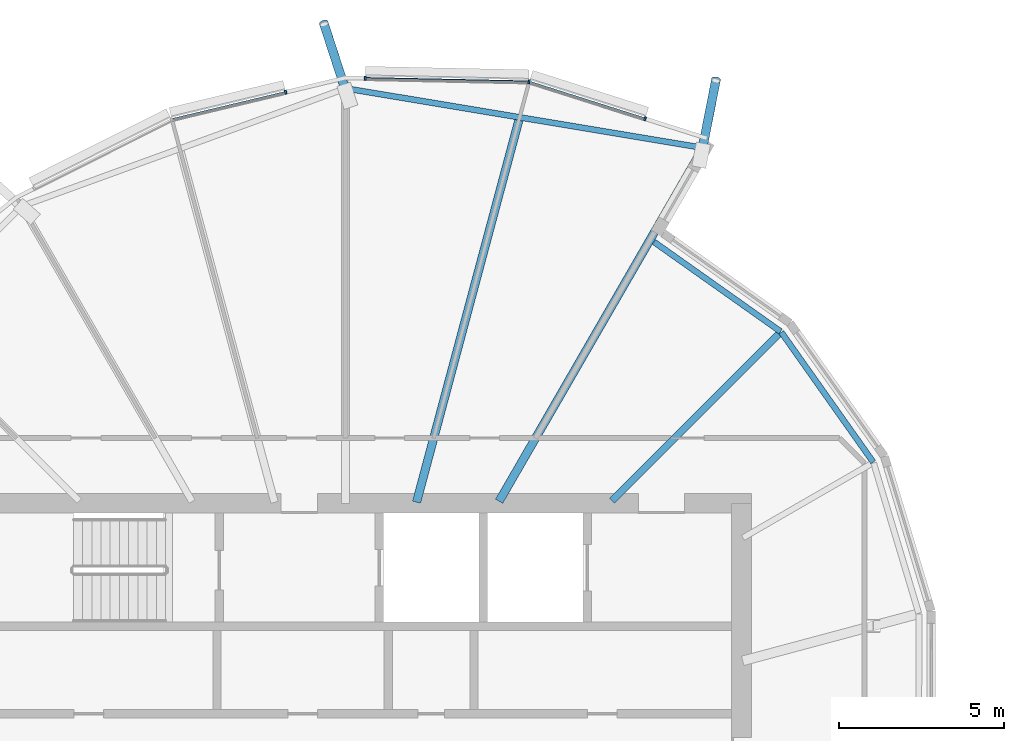
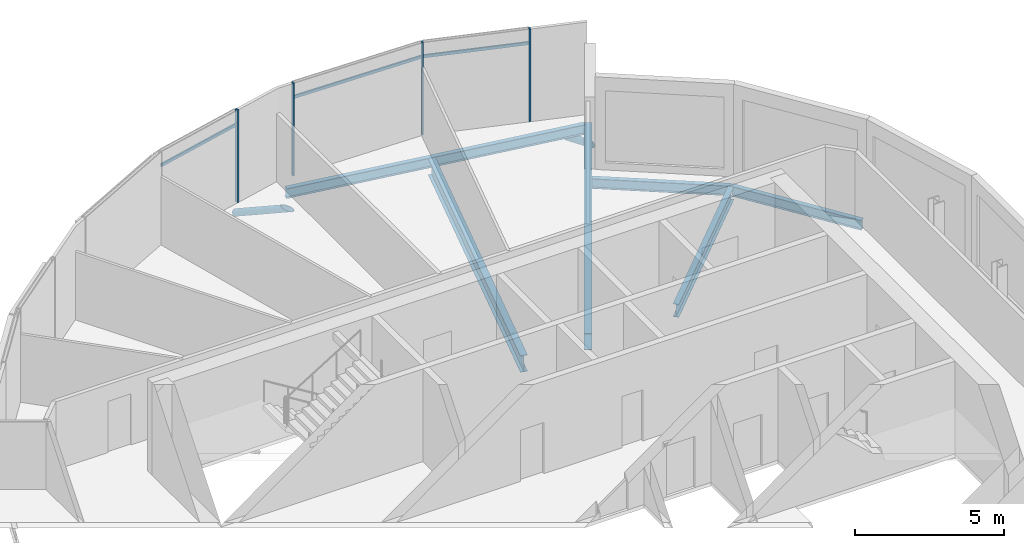
# One storey, part 16 of 36: 9 members, 6 beams, 1 element without a shape of its own.
"""IFC4 building model written with IfcOpenShell, lengths in metres."""

from ifc_helpers import new_model, si_unit, direction, frame, origin, origin_2d, place, context, subcontext, project, spatial, rectangle, hollow_circle, i_section, extrude, clip, halfspace, material, material_profile, profile_set, type_object, element, aggregate, save


model = new_model("IFC4")

# Units and contexts
model_context = context("Model", 3, precision=1e-05, world=origin(), true_north=direction((0.0, 1.0)))
body_context = subcontext(model_context, "Body", "Model", "MODEL_VIEW")
ifc_project = project(units=[si_unit("LENGTHUNIT", "METRE"), si_unit("AREAUNIT", "SQUARE_METRE"), si_unit("VOLUMEUNIT", "CUBIC_METRE"), si_unit("PLANEANGLEUNIT", "RADIAN"), si_unit("MASSUNIT", "GRAM", prefix="KILO")], contexts=[model_context])

# Site, building, storey
site_placement = place(None, origin())
site = spatial("IfcSite", under=ifc_project, at=site_placement, CompositionType="ELEMENT")
building_placement = place(site_placement, origin())
building = spatial("IfcBuilding", under=site, at=building_placement, Name="Rimbun Link Towers", CompositionType="ELEMENT")
storey_placement = place(building_placement, frame((0.0, 0.0, 174.10009765625)))
storey = spatial("IfcBuildingStorey", under=building, at=storey_placement, Name="L42", CompositionType="ELEMENT", Elevation=174.10009765625)

# Curtain wall, members
ifc_material_1 = material(Name="Aluminium 6063-T6 and low-iron glass", Category="aluminium")
curtain_wall_type = type_object("IfcCurtainWallType", Name="CW1-Z3 unitised vision wall (zone 3)", PredefinedType="NOTDEFINED", material=ifc_material_1)
curtain_wall_placement = place(storey_placement, origin())
curtain_wall = element("IfcCurtainWall", 1, at=curtain_wall_placement, inside=storey, type_object=curtain_wall_type, Name="CW1 L42 T2", PredefinedType="NOTDEFINED")
ifc_material_2 = material(Name="Aluminium 6063-T6", Category="aluminium")
ifc_material_profile_1 = material_profile(ifc_material_2, rectangle(XDim=0.1201171875, YDim=0.06005859375, at=origin_2d()), Name="MULLION 60X120")
ifc_profile_set_1 = profile_set([ifc_material_profile_1], Name="Aluminium 6063-T6")
member_type_1 = type_object("IfcMemberType", Name="CW1 mullion 60X120", PredefinedType="MULLION", material=ifc_profile_set_1)
member_1_placement = place(storey_placement, frame((37.310791015625, 20.775390625, 0.0), z_axis=(0.0, 0.0, 1.0), x_axis=(0.163742714165, 0.986503078332, 0.0)))
member_1 = element("IfcMember", 2, at=member_1_placement, type_object=member_type_1, Name="CW1 mullion", PredefinedType="MULLION", context=body_context, shape_type="SweptSolid", body=[
    extrude(rectangle(XDim=0.1201171875, YDim=0.06005859375, at=origin_2d()), origin(), (0.0, 0.0, 1.0), 3.7998046875),
])
member_2_placement = place(storey_placement, frame((40.828369140625, 19.6572265625, 0.0), z_axis=(0.0, 0.0, 1.0), x_axis=(0.303067824946, 0.952968988731, 0.0)))
member_2 = element("IfcMember", 3, at=member_2_placement, type_object=member_type_1, Name="CW1 mullion", PredefinedType="MULLION", context=body_context, shape_type="SweptSolid", body=[
    extrude(rectangle(XDim=0.1201171875, YDim=0.06005859375, at=origin_2d()), origin(), (0.0, 0.0, 1.0), 3.7998046875),
])
member_3_placement = place(storey_placement, frame((32.35107421875, 20.88037109375, 0.0), z_axis=(0.0, 0.0, 1.0), x_axis=(0.021054979477, 0.999778319348, 0.0)))
member_3 = element("IfcMember", 4, at=member_3_placement, type_object=member_type_1, Name="CW1 mullion", PredefinedType="MULLION", context=body_context, shape_type="SweptSolid", body=[
    extrude(rectangle(XDim=0.1201171875, YDim=0.06005859375, at=origin_2d()), origin(), (0.0, 0.0, 1.0), 3.7998046875),
])
member_4_placement = place(storey_placement, frame((29.936767578125, 20.461181640625, 0.0), z_axis=(0.0, 0.0, 1.0), x_axis=(-0.232594562001, 0.972573786264, 0.0)))
member_4 = element("IfcMember", 5, at=member_4_placement, type_object=member_type_1, Name="CW1 mullion", PredefinedType="MULLION", context=body_context, shape_type="SweptSolid", body=[
    extrude(rectangle(XDim=0.1201171875, YDim=0.06005859375, at=origin_2d()), origin(), (0.0, 0.0, 1.0), 3.7998046875),
])
ifc_material_3 = material(Name="Aluminium 6063-T6", Category="aluminium")
ifc_material_profile_2 = material_profile(ifc_material_3, rectangle(XDim=0.06005859375, YDim=0.1201171875, at=origin_2d()), Name="TRANSOM 60X120")
ifc_profile_set_2 = profile_set([ifc_material_profile_2], Name="Aluminium 6063-T6")
member_type_2 = type_object("IfcMemberType", Name="CW1 transom 60X120", PredefinedType="USERDEFINED", material=ifc_profile_set_2)
member_5_placement = place(storey_placement, frame((37.34716796875, 20.762451171875, 3.199951171875), z_axis=(0.952966486651, -0.303075692395, 0.0), x_axis=(0.303075692395, 0.952966486651, 0.0)))
member_5 = element("IfcMember", 6, at=member_5_placement, type_object=member_type_2, Name="CW1 transom", ObjectType="TRANSOM", PredefinedType="USERDEFINED", context=body_context, shape_type="SweptSolid", body=[
    extrude(rectangle(XDim=0.06005859375, YDim=0.1201171875, at=origin_2d()), origin(), (0.0, 0.0, 1.0), 3.62255859375),
])
member_6_placement = place(storey_placement, frame((32.381103515625, 20.8779296875, 3.199951171875), z_axis=(0.99977822373, -0.021059519338, 0.0), x_axis=(0.021059519338, 0.99977822373, 0.0)))
member_6 = element("IfcMember", 7, at=member_6_placement, type_object=member_type_2, Name="CW1 transom", ObjectType="TRANSOM", PredefinedType="USERDEFINED", context=body_context, shape_type="SweptSolid", body=[
    extrude(rectangle(XDim=0.06005859375, YDim=0.1201171875, at=origin_2d()), origin(), (0.0, 0.0, 1.0), 4.89208984375),
])
member_7_placement = place(storey_placement, frame((26.519775390625, 19.641845703125, 3.199951171875), z_axis=(0.972573377693, 0.232596270397, 0.0), x_axis=(-0.232596270397, 0.972573377693, 0.0)))
member_7 = element("IfcMember", 8, at=member_7_placement, type_object=member_type_2, Name="CW1 transom", ObjectType="TRANSOM", PredefinedType="USERDEFINED", context=body_context, shape_type="SweptSolid", body=[
    extrude(rectangle(XDim=0.06005859375, YDim=0.1201171875, at=origin_2d()), origin(), (0.0, 0.0, 1.0), 3.483642578125),
])
aggregate(curtain_wall, [member_1, member_2, member_3, member_4, member_5, member_6, member_7])

# Members
ifc_material_4 = material(Name="Steel S355J2H", Category="steel")
ifc_material_profile_3 = material_profile(ifc_material_4, hollow_circle(Radius=0.136474609375, WallThickness=0.012451171875, at=origin_2d()), Name="CHS 273x12.5")
ifc_profile_set_3 = profile_set([ifc_material_profile_3], Name="Steel S355J2H")
member_type_3 = type_object("IfcMemberType", Name="Floor edge link CHS 273x12.5", PredefinedType="BRACE", material=ifc_profile_set_3)
member_8_placement = place(storey_placement, frame((42.563232421875, 18.72900390625, -0.953125), z_axis=(0.170118912305, 0.863261938358, -0.475224558981), x_axis=(-0.981130496404, 0.193346706789, 0.0)))
element("IfcMember", 9, at=member_8_placement, inside=storey, type_object=member_type_3, Name="Floor edge link T2 L42 01", PredefinedType="BRACE", context=body_context, shape_type="Clipping", body=[
    clip(extrude(hollow_circle(Radius=0.136474609375, WallThickness=0.012451171875, at=origin_2d()), frame((0.0, 0.0, -0.526611328125)), (0.0, 0.0, 1.0), 2.993408203125), halfspace(frame((0.0, 0.0, -0.247314453125), z_axis=(0.0, 0.879864545564, -0.475224558981)), False)),
])
member_9_placement = place(storey_placement, frame((31.75, 20.526123046875, -0.953125), z_axis=(-0.271431848286, 0.835726998174, -0.477373162483), x_axis=(-0.951094074147, -0.308901379282, 0.0)))
element("IfcMember", 10, at=member_9_placement, inside=storey, type_object=member_type_3, Name="Floor edge link T2 L42 03", PredefinedType="BRACE", context=body_context, shape_type="Clipping", body=[
    clip(extrude(hollow_circle(Radius=0.136474609375, WallThickness=0.012451171875, at=origin_2d()), frame((0.0, 0.0, -0.5234375)), (0.0, 0.0, 1.0), 2.97265625), halfspace(frame((0.0, 0.0, -0.24609375), z_axis=(0.0, 0.878700667885, -0.477373162483)), False)),
])

# Beams
ifc_material_5 = material(Name="Steel S355J2", Category="steel")
ifc_material_profile_4 = material_profile(ifc_material_5, i_section(OverallWidth=0.177978515625, OverallDepth=0.406494140625, WebThickness=0.0078125, FlangeThickness=0.0126953125, at=origin_2d()), Name="UB 406x178x60")
ifc_profile_set_4 = profile_set([ifc_material_profile_4], Name="Steel S355J2")
beam_type_1 = type_object("IfcBeamType", Name="UB 406x178x60", PredefinedType="BEAM", material=ifc_profile_set_4)
beam_1_placement = place(storey_placement, frame((44.934814453125, 13.20751953125, -0.353271484375), z_axis=(-0.816316443066, 0.577604938327, 0.0), x_axis=(-0.577604938327, -0.816316443066, 0.0)))
element("IfcBeam", 11, at=beam_1_placement, inside=storey, type_object=beam_type_1, Name="Edge beam T2 L42 00 recess", PredefinedType="BEAM", context=body_context, shape_type="SweptSolid", body=[
    extrude(i_section(OverallWidth=0.177978515625, OverallDepth=0.406494140625, WebThickness=0.0078125, FlangeThickness=0.0126953125, at=origin_2d()), origin(), (0.0, 0.0, 1.0), 4.698486328125),
])
beam_2_placement = place(storey_placement, frame((42.45361328125, 18.794921875, -0.353271484375), z_axis=(-0.986437585606, 0.164136801797, 0.0), x_axis=(-0.164136801797, -0.986437585606, 0.0)))
element("IfcBeam", 12, at=beam_2_placement, inside=storey, type_object=beam_type_1, Name="Edge beam T2 L42 01-03", PredefinedType="BEAM", context=body_context, shape_type="SweptSolid", body=[
    extrude(i_section(OverallWidth=0.177978515625, OverallDepth=0.406494140625, WebThickness=0.0078125, FlangeThickness=0.0126953125, at=origin_2d()), origin(), (0.0, 0.0, 1.0), 10.721435546875),
])
beam_3_placement = place(storey_placement, frame((47.7412109375, 9.25048828125, -0.353271484375), z_axis=(-0.577585771739, 0.816330004523, 0.0), x_axis=(-0.816330004523, -0.577585771739, 0.0)))
element("IfcBeam", 13, at=beam_3_placement, inside=storey, type_object=beam_type_1, Name="Edge beam T2 L42 23 recess", PredefinedType="BEAM", context=body_context, shape_type="SweptSolid", body=[
    extrude(i_section(OverallWidth=0.177978515625, OverallDepth=0.406494140625, WebThickness=0.0078125, FlangeThickness=0.0126953125, at=origin_2d()), origin(), (0.0, 0.0, 1.0), 4.819580078125),
])
ifc_material_6 = material(Name="Steel S355J2", Category="steel")
ifc_material_profile_5 = material_profile(ifc_material_6, i_section(OverallWidth=0.209228515625, OverallDepth=0.533203125, WebThickness=0.010009765625, FlangeThickness=0.015625, at=origin_2d()), Name="UB 533x210x92")
ifc_profile_set_5 = profile_set([ifc_material_profile_5], Name="Steel S355J2")
beam_type_2 = type_object("IfcBeamType", Name="UB 533x210x92", PredefinedType="BEAM", material=ifc_profile_set_5)
beam_4_placement = place(storey_placement, frame((39.82470703125, 8.07470703125, -0.416748046875), z_axis=(0.707106781187, 0.707106781187, 0.0), x_axis=(-0.707106781187, 0.707106781187, 0.0)))
element("IfcBeam", 14, at=beam_4_placement, inside=storey, type_object=beam_type_2, Name="Radial beam T2 L42 00", PredefinedType="BEAM", context=body_context, shape_type="SweptSolid", body=[
    extrude(i_section(OverallWidth=0.209228515625, OverallDepth=0.533203125, WebThickness=0.010009765625, FlangeThickness=0.015625, at=origin_2d()), origin(), (0.0, 0.0, 1.0), 7.15576171875),
])
ifc_material_7 = material(Name="Steel S355J2", Category="steel")
ifc_material_profile_6 = material_profile(ifc_material_7, i_section(OverallWidth=0.253662109375, OverallDepth=0.68359375, WebThickness=0.012451171875, FlangeThickness=0.01904296875, at=origin_2d()), Name="UB 686x254x140")
ifc_profile_set_6 = profile_set([ifc_material_profile_6], Name="Steel S355J2")
beam_type_3 = type_object("IfcBeamType", Name="UB 686x254x140", PredefinedType="BEAM", material=ifc_profile_set_6)
beam_5_placement = place(storey_placement, frame((36.406005859375, 8.064208984375, -0.491943359375), z_axis=(0.49998281943, 0.866035322764, 0.0), x_axis=(-0.866035322764, 0.49998281943, 0.0)))
element("IfcBeam", 15, at=beam_5_placement, inside=storey, type_object=beam_type_3, Name="Radial beam T2 L42 01", PredefinedType="BEAM", context=body_context, shape_type="SweptSolid", body=[
    extrude(i_section(OverallWidth=0.253662109375, OverallDepth=0.68359375, WebThickness=0.012451171875, FlangeThickness=0.01904296875, at=origin_2d()), origin(), (0.0, 0.0, 1.0), 12.36474609375),
])
beam_6_placement = place(storey_placement, frame((33.902587890625, 8.03369140625, -0.491943359375), z_axis=(0.25882636602, 0.965923864625, 0.0), x_axis=(-0.965923864625, 0.25882636602, 0.0)))
element("IfcBeam", 16, at=beam_6_placement, inside=storey, type_object=beam_type_3, Name="Radial beam T2 L42 02", PredefinedType="BEAM", context=body_context, shape_type="SweptSolid", body=[
    extrude(i_section(OverallWidth=0.253662109375, OverallDepth=0.68359375, WebThickness=0.012451171875, FlangeThickness=0.01904296875, at=origin_2d()), origin(), (0.0, 0.0, 1.0), 11.985107421875),
])

save(model, "model.ifc")
